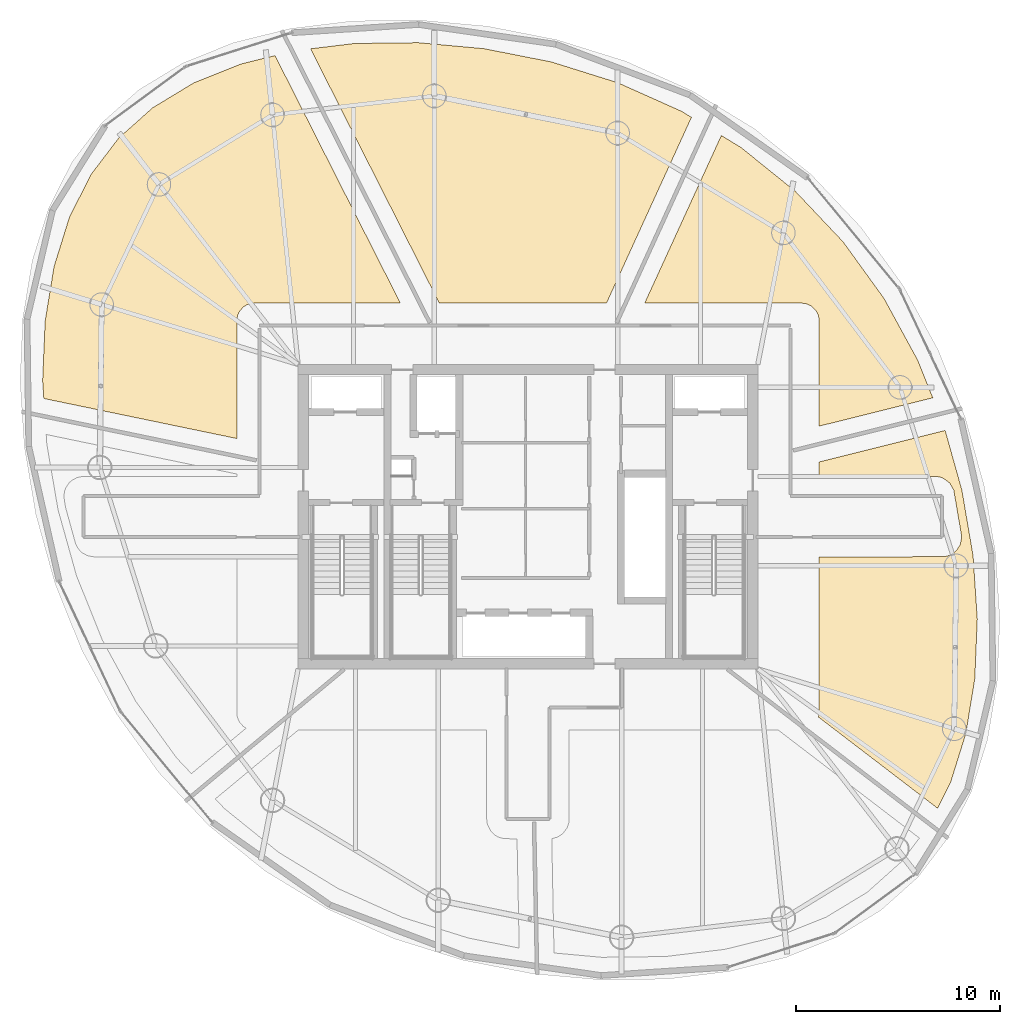
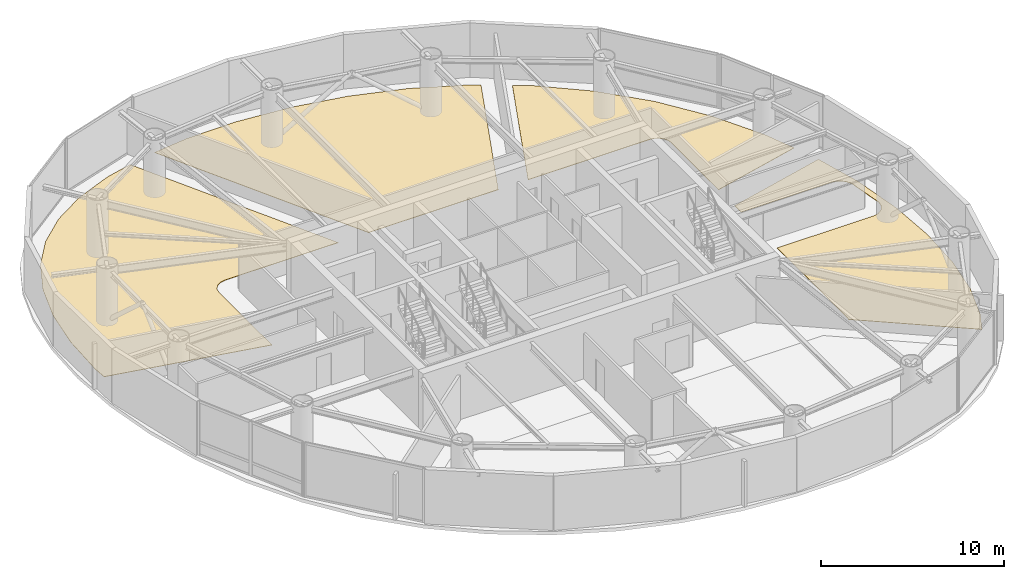
# One storey, part 20 of 20: 4 coverings.
"""IFC4 building model written with IfcOpenShell, lengths in metres."""

from ifc_helpers import new_model, si_unit, direction, frame, origin, place, context, subcontext, project, spatial, polyline, outline, extrude, material, layer, layer_set, type_object, element, save


model = new_model("IFC4")

# Units and contexts
model_context = context("Model", 3, precision=1e-05, world=origin(), true_north=direction((0.0, 1.0)))
body_context = subcontext(model_context, "Body", "Model", "MODEL_VIEW")
ifc_project = project(units=[si_unit("LENGTHUNIT", "METRE"), si_unit("AREAUNIT", "SQUARE_METRE"), si_unit("VOLUMEUNIT", "CUBIC_METRE"), si_unit("PLANEANGLEUNIT", "RADIAN"), si_unit("MASSUNIT", "GRAM", prefix="KILO")], contexts=[model_context])

# Site, building, storey
site_placement = place(None, origin())
site = spatial("IfcSite", under=ifc_project, at=site_placement, CompositionType="ELEMENT")
building_placement = place(site_placement, origin())
building = spatial("IfcBuilding", under=site, at=building_placement, Name="Bramvorn Convention Spire", CompositionType="ELEMENT")
storey_placement = place(building_placement, frame((0.0, 0.0, 202.0)))
storey = spatial("IfcBuildingStorey", under=building, at=storey_placement, Name="L51", CompositionType="ELEMENT", Elevation=202.0)

# Coverings
ifc_material = material(Name="Honed Dolomitic Limestone Terrazzo Flooring", Category="masonry")
ifc_layer = layer(ifc_material, 0.02490234375)
ifc_layer_set = layer_set([ifc_layer], Name="Honed Dolomitic Limestone Terrazzo Flooring - FLR-TERRAZZO-25")
covering_type = type_object("IfcCoveringType", Name="FLR-TERRAZZO-25", PredefinedType="FLOORING", material=ifc_layer_set)
covering_1_placement = place(storey_placement, origin())
element("IfcCovering", 1, at=covering_1_placement, inside=storey, type_object=covering_type, Name="L51 Executive Dining Salon 1 1 raised floor finish", PredefinedType="FLOORING", context=body_context, shape_type="SweptSolid", body=[
    extrude(outline(polyline([(48.4306640625, 44.065185546875), (47.463623046875, 44.653564453125), (43.712646484375, 36.449951171875), (51.39990234375, 36.449951171875), (51.646728515625, 36.413330078125), (51.872314453125, 36.306640625), (52.106689453125, 36.072265625), (52.21337890625, 35.8466796875), (52.245849609375, 35.683349609375), (52.25, 30.428955078125), (57.8125, 31.81591796875), (57.065185546875, 33.674560546875), (55.42822265625, 36.675048828125), (53.4287109375, 39.445068359375), (51.085205078125, 41.92333984375), (48.4306640625, 44.065185546875)])), origin(), (0.0, 0.0, 1.0), 0.02490234375),
])
covering_2_placement = place(storey_placement, origin())
element("IfcCovering", 2, at=covering_2_placement, inside=storey, type_object=covering_type, Name="L51 Executive Dining Salon 2 2 raised floor finish", PredefinedType="FLOORING", context=body_context, shape_type="SweptSolid", body=[
    extrude(outline(polyline([(33.660888671875, 36.449951171875), (41.843505859375, 36.449951171875), (46.001220703125, 45.543701171875), (45.51220703125, 45.84130859375), (42.392578125, 47.23779296875), (39.147216796875, 48.2548828125), (35.860595703125, 48.902099609375), (32.619873046875, 49.19677734375), (29.50927734375, 49.158447265625), (27.357421875, 48.898193359375), (33.660888671875, 36.449951171875)])), origin(), (0.0, 0.0, 1.0), 0.02490234375),
])
covering_3_placement = place(storey_placement, origin())
element("IfcCovering", 3, at=covering_3_placement, inside=storey, type_object=covering_type, Name="L51 Butler Catering Kitchen 3 raised floor finish", PredefinedType="FLOORING", context=body_context, shape_type="SweptSolid", body=[
    extrude(outline(polyline([(14.24658203125, 32.6474609375), (14.30419921875, 31.781494140625), (23.75, 29.82275390625), (23.75, 35.60009765625), (23.78662109375, 35.8466796875), (23.850341796875, 36.000732421875), (24.060791015625, 36.257080078125), (24.274658203125, 36.38525390625), (24.60009765625, 36.449951171875), (31.755615234375, 36.449951171875), (25.62060546875, 48.565185546875), (23.965087890625, 48.158203125), (21.63525390625, 47.224609375), (19.634765625, 46.01318359375), (17.96337890625, 44.521728515625), (16.607421875, 42.73828125), (15.556884765625, 40.649169921875), (14.80908203125, 38.253173828125), (14.369384765625, 35.571533203125), (14.24658203125, 32.6474609375)])), origin(), (0.0, 0.0, 1.0), 0.02490234375),
])
covering_4_placement = place(storey_placement, origin())
element("IfcCovering", 4, at=covering_4_placement, inside=storey, type_object=covering_type, Name="L51 Executive Strategy Suite 7 raised floor finish", PredefinedType="FLOORING", context=body_context, shape_type="SweptSolid", body=[
    extrude(outline(polyline([(58.0498046875, 11.725341796875), (58.680908203125, 12.97998046875), (59.4287109375, 15.3759765625), (59.868408203125, 18.0576171875), (59.990966796875, 20.981689453125), (59.784912109375, 24.085693359375), (59.237060546875, 27.293212890625), (58.4189453125, 30.215087890625), (52.25, 28.677001953125), (52.25, 27.969970703125), (57.917236328125, 27.969970703125), (58.15087890625, 27.94140625), (58.34375, 27.87109375), (58.648681640625, 27.63671875), (58.8388671875, 27.302001953125), (59.22900390625, 25.017578125), (59.1640625, 24.650634765625), (58.973388671875, 24.34375), (58.673095703125, 24.122802734375), (58.3935546875, 24.03955078125), (52.25, 24.030029296875), (52.25, 16.39990234375), (52.2216796875, 16.185791015625), (58.0498046875, 11.725341796875)])), origin(), (0.0, 0.0, 1.0), 0.02490234375),
])

save(model, "model.ifc")
